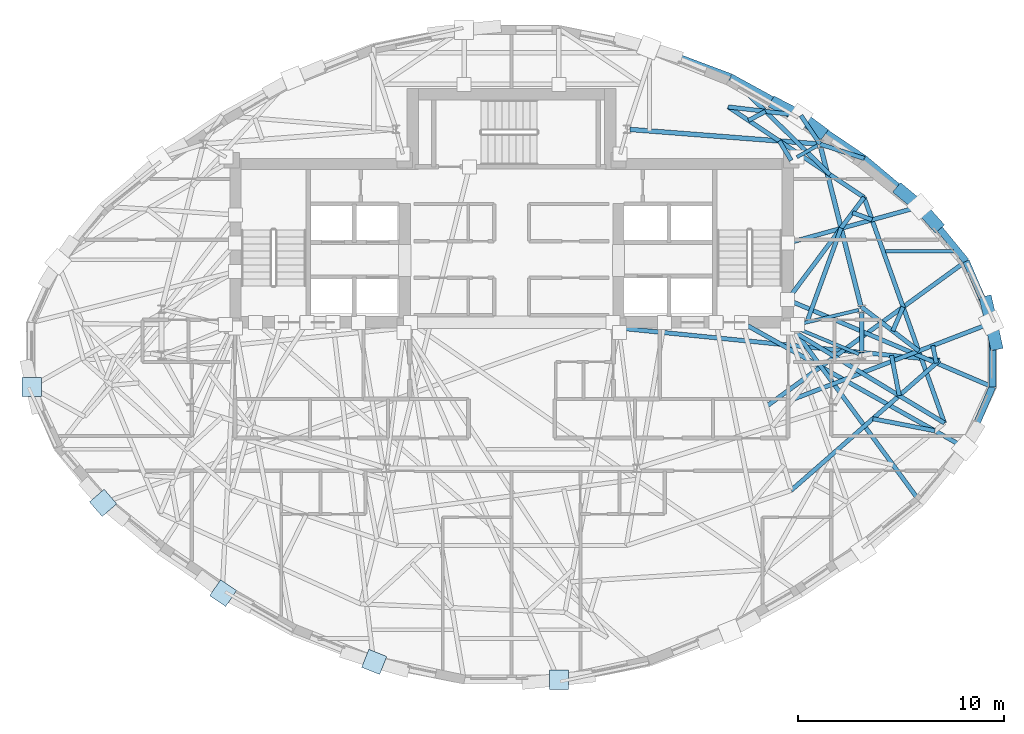
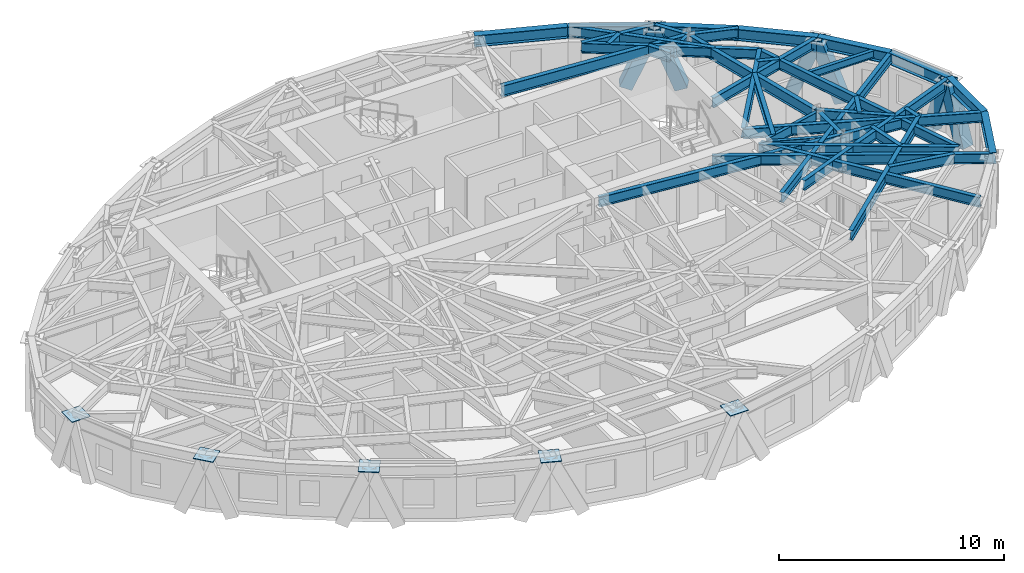
# One storey, part 4 of 14: 40 beams, 6 members, 5 plates.
"""IFC4 building model written with IfcOpenShell, lengths in metres."""

from ifc_helpers import new_model, si_unit, direction, frame, origin, origin_2d, place, context, subcontext, project, spatial, rectangle, hollow_rectangle, i_section, extrude, material, layer, layer_set, material_profile, profile_set, type_object, element, save


model = new_model("IFC4")

# Units and contexts
model_context = context("Model", 3, precision=1e-05, world=origin(), true_north=direction((0.0, 1.0)))
body_context = subcontext(model_context, "Body", "Model", "MODEL_VIEW")
ifc_project = project(units=[si_unit("LENGTHUNIT", "METRE"), si_unit("AREAUNIT", "SQUARE_METRE"), si_unit("VOLUMEUNIT", "CUBIC_METRE"), si_unit("PLANEANGLEUNIT", "RADIAN"), si_unit("MASSUNIT", "GRAM", prefix="KILO")], contexts=[model_context])

# Site, building, storey
site_placement = place(None, origin())
site = spatial("IfcSite", under=ifc_project, at=site_placement, CompositionType="ELEMENT")
building_placement = place(site_placement, origin())
building = spatial("IfcBuilding", under=site, at=building_placement, Name="Keldmark Tower", CompositionType="ELEMENT")
storey_placement = place(building_placement, frame((0.0, 0.0, 213.14990234375)))
storey = spatial("IfcBuildingStorey", under=building, at=storey_placement, Name="L59", CompositionType="ELEMENT", Elevation=213.14990234375)

# Beam
ifc_material_1 = material(Name="Steel ASTM A992 Grade 50", Category="steel")
ifc_material_profile_1 = material_profile(ifc_material_1, i_section(OverallWidth=0.177978515625, OverallDepth=0.403076171875, WebThickness=0.007568359375, FlangeThickness=0.010986328125, at=origin_2d()), Name="W16X36")
ifc_profile_set_1 = profile_set([ifc_material_profile_1], Name="Steel ASTM A992 Grade 50")
beam_type_1 = type_object("IfcBeamType", Name="Composite Floor Joist W16X36", PredefinedType="JOIST", material=ifc_profile_set_1)
beam_1_placement = place(storey_placement, frame((18.175537109375, 5.0400390625, 2.7685546875), z_axis=(1.0, 0.0, 0.0), x_axis=(0.0, 1.0, 0.0)))
element("IfcBeam", 1, at=beam_1_placement, inside=storey, type_object=beam_type_1, Name="L59 Composite Floor Joist J08", PredefinedType="JOIST", context=body_context, shape_type="SweptSolid", body=[
    extrude(i_section(OverallWidth=0.177978515625, OverallDepth=0.403076171875, WebThickness=0.007568359375, FlangeThickness=0.010986328125, at=origin_2d()), origin(), (0.0, 0.0, 1.0), 3.322265625),
])

# Members
ifc_material_2 = material(Name="Steel ASTM A572 Grade 50", Category="steel")
ifc_material_profile_2 = material_profile(ifc_material_2, hollow_rectangle(XDim=0.60009765625, YDim=0.60009765625, WallThickness=0.034912109375, at=origin_2d()), Name="BOX600X600X35")
ifc_profile_set_2 = profile_set([ifc_material_profile_2], Name="Steel ASTM A572 Grade 50")
member_type = type_object("IfcMemberType", Name="Diagrid Zone 4 Brace BOX600X600X35", PredefinedType="BRACE", material=ifc_profile_set_2)
member_1_placement = place(storey_placement, frame((23.090576171875, 2.5703125, -0.260009765625), z_axis=(0.071240844501, -0.309231419076, 0.948314647957), x_axis=(0.974474157233, 0.224499703532, 0.0)))
element("IfcMember", 2, at=member_1_placement, inside=storey, type_object=member_type, Name="L59 Perimeter Diagrid Brace 01A", PredefinedType="BRACE", context=body_context, shape_type="SweptSolid", body=[
    extrude(hollow_rectangle(XDim=0.60009765625, YDim=0.60009765625, WallThickness=0.034912109375, at=origin_2d()), origin(), (0.0, 0.0, 1.0), 3.279541015625),
])
member_2_placement = place(storey_placement, frame((20.645263671875, 6.325927734375, -0.260009765625), z_axis=(-0.236178134842, 0.263709002286, 0.935241920968), x_axis=(-0.744921219143, -0.667152439305, 0.0)))
element("IfcMember", 3, at=member_2_placement, inside=storey, type_object=member_type, Name="L59 Perimeter Diagrid Brace 01B", PredefinedType="BRACE", context=body_context, shape_type="SweptSolid", body=[
    extrude(hollow_rectangle(XDim=0.60009765625, YDim=0.60009765625, WallThickness=0.034912109375, at=origin_2d()), origin(), (0.0, 0.0, 1.0), 3.325439453125),
])
member_3_placement = place(storey_placement, frame((18.9375, 7.96240234375, -0.260009765625), z_axis=(0.277921853102, -0.230930589027, 0.932432574839), x_axis=(0.639087912898, 0.769133694222, 0.0)))
element("IfcMember", 4, at=member_3_placement, inside=storey, type_object=member_type, Name="L59 Perimeter Diagrid Brace 02A", PredefinedType="BRACE", context=body_context, shape_type="SweptSolid", body=[
    extrude(hollow_rectangle(XDim=0.60009765625, YDim=0.60009765625, WallThickness=0.034912109375, at=origin_2d()), origin(), (0.0, 0.0, 1.0), 3.33544921875),
])
member_4_placement = place(storey_placement, frame((15.006103515625, 10.8642578125, -0.260009765625), z_axis=(-0.293317377522, 0.217759288743, 0.930884422584), x_axis=(-0.596088275288, -0.802918905036, 0.0)))
element("IfcMember", 5, at=member_4_placement, inside=storey, type_object=member_type, Name="L59 Perimeter Diagrid Brace 02B", PredefinedType="BRACE", context=body_context, shape_type="SweptSolid", body=[
    extrude(hollow_rectangle(XDim=0.60009765625, YDim=0.60009765625, WallThickness=0.034912109375, at=origin_2d()), origin(), (0.0, 0.0, 1.0), 3.341064453125),
])
member_5_placement = place(storey_placement, frame((12.867919921875, 12.19140625, -0.260009765625), z_axis=(0.345442367388, -0.180023335035, 0.921010949803), x_axis=(0.462147317946, 0.886803166726, 0.0)))
element("IfcMember", 6, at=member_5_placement, inside=storey, type_object=member_type, Name="L59 Perimeter Diagrid Brace 03A", PredefinedType="BRACE", context=body_context, shape_type="SweptSolid", body=[
    extrude(hollow_rectangle(XDim=0.60009765625, YDim=0.60009765625, WallThickness=0.034912109375, at=origin_2d()), origin(), (0.0, 0.0, 1.0), 3.376953125),
])
member_6_placement = place(storey_placement, frame((23.54931640625, 0.531494140625, -0.260009765625), z_axis=(-0.068502919158, 0.315395761199, 0.946484476304), x_axis=(-0.97721582246, -0.212248053783, 0.0)))
element("IfcMember", 7, at=member_6_placement, inside=storey, type_object=member_type, Name="L59 Perimeter Diagrid Brace 16B", PredefinedType="BRACE", context=body_context, shape_type="SweptSolid", body=[
    extrude(hollow_rectangle(XDim=0.60009765625, YDim=0.60009765625, WallThickness=0.034912109375, at=origin_2d()), origin(), (0.0, 0.0, 1.0), 3.285888671875),
])

# Beams
ifc_material_3 = material(Name="Steel ASTM A992 Grade 50", Category="steel")
ifc_material_profile_3 = material_profile(ifc_material_3, i_section(OverallWidth=0.22802734375, OverallDepth=0.60302734375, WebThickness=0.010498046875, FlangeThickness=0.014892578125, at=origin_2d()), Name="W24X68")
ifc_profile_set_3 = profile_set([ifc_material_profile_3], Name="Steel ASTM A992 Grade 50")
beam_type_2 = type_object("IfcBeamType", Name="Primary Floor Girder W24X68", PredefinedType="BEAM", material=ifc_profile_set_3)
beam_2_placement = place(storey_placement, frame((16.9912109375, 2.34375, 2.668701171875), z_axis=(-0.244902129455, 0.969547805417, 0.0), x_axis=(-0.969547805417, -0.244902129455, 0.0)))
element("IfcBeam", 8, at=beam_2_placement, inside=storey, type_object=beam_type_2, Name="L59 Floor Ring Girder FG-R01", PredefinedType="BEAM", context=body_context, shape_type="SweptSolid", body=[
    extrude(i_section(OverallWidth=0.22802734375, OverallDepth=0.60302734375, WebThickness=0.010498046875, FlangeThickness=0.014892578125, at=origin_2d()), origin(), (0.0, 0.0, 1.0), 8.008056640625),
])
beam_3_placement = place(storey_placement, frame((14.856201171875, 10.25439453125, 2.668701171875), z_axis=(-0.997037147832, 0.076921556421, 0.0), x_axis=(-0.076921556421, -0.997037147832, 0.0)))
element("IfcBeam", 9, at=beam_3_placement, inside=storey, type_object=beam_type_2, Name="L59 Floor Ring Girder FG-R02", PredefinedType="BEAM", context=body_context, shape_type="SweptSolid", body=[
    extrude(i_section(OverallWidth=0.22802734375, OverallDepth=0.60302734375, WebThickness=0.010498046875, FlangeThickness=0.014892578125, at=origin_2d()), origin(), (0.0, 0.0, 1.0), 9.125),
])
beam_4_placement = place(storey_placement, frame((17.025634765625, 0.115966796875, 2.668701171875), z_axis=(0.0, 1.0, 0.0), x_axis=(-1.0, 0.0, 0.0)))
element("IfcBeam", 10, at=beam_4_placement, inside=storey, type_object=beam_type_2, Name="L59 Floor Ring Girder FG-R12", PredefinedType="BEAM", context=body_context, shape_type="SweptSolid", body=[
    extrude(i_section(OverallWidth=0.22802734375, OverallDepth=0.60302734375, WebThickness=0.010498046875, FlangeThickness=0.014892578125, at=origin_2d()), origin(), (0.0, 0.0, 1.0), 1.9521484375),
])
ifc_material_4 = material(Name="Steel ASTM A992 Grade 50", Category="steel")
ifc_material_profile_4 = material_profile(ifc_material_4, i_section(OverallWidth=0.166015625, OverallDepth=0.529052734375, WebThickness=0.009765625, FlangeThickness=0.013671875, at=origin_2d()), Name="W21X50")
ifc_profile_set_4 = profile_set([ifc_material_profile_4], Name="Steel ASTM A992 Grade 50")
beam_type_3 = type_object("IfcBeamType", Name="Radial Tie Girder W21X50", PredefinedType="BEAM", material=ifc_profile_set_4)
beam_5_placement = place(storey_placement, frame((16.889404296875, 2.17578125, 2.70556640625), z_axis=(-0.97329039005, -0.229577474147, 0.0), x_axis=(0.229577474147, -0.97329039005, 0.0)))
element("IfcBeam", 11, at=beam_5_placement, inside=storey, type_object=beam_type_3, Name="L59 Floor Radial Girder FG-C01", PredefinedType="BEAM", context=body_context, shape_type="SweptSolid", body=[
    extrude(i_section(OverallWidth=0.166015625, OverallDepth=0.529052734375, WebThickness=0.009765625, FlangeThickness=0.013671875, at=origin_2d()), origin(), (0.0, 0.0, 1.0), 3.0595703125),
])
beam_6_placement = place(storey_placement, frame((14.8740234375, 10.174560546875, 2.70556640625), z_axis=(-0.869238046195, -0.494393789451, 0.0), x_axis=(0.494393789451, -0.869238046195, 0.0)))
element("IfcBeam", 12, at=beam_6_placement, inside=storey, type_object=beam_type_3, Name="L59 Floor Radial Girder FG-C02", PredefinedType="BEAM", context=body_context, shape_type="SweptSolid", body=[
    extrude(i_section(OverallWidth=0.166015625, OverallDepth=0.529052734375, WebThickness=0.009765625, FlangeThickness=0.013671875, at=origin_2d()), origin(), (0.0, 0.0, 1.0), 1.145751953125),
])
beam_7_placement = place(storey_placement, frame((16.896240234375, 0.02978515625, 2.70556640625), z_axis=(-0.923403331902, 0.383831065226, 0.0), x_axis=(-0.383831065226, -0.923403331902, 0.0)))
element("IfcBeam", 13, at=beam_7_placement, inside=storey, type_object=beam_type_3, Name="L59 Floor Radial Girder FG-C12", PredefinedType="BEAM", context=body_context, shape_type="SweptSolid", body=[
    extrude(i_section(OverallWidth=0.166015625, OverallDepth=0.529052734375, WebThickness=0.009765625, FlangeThickness=0.013671875, at=origin_2d()), origin(), (0.0, 0.0, 1.0), 3.249755859375),
])
ifc_material_5 = material(Name="Steel ASTM A992 Grade 50", Category="steel")
ifc_material_profile_5 = material_profile(ifc_material_5, i_section(OverallWidth=0.2099609375, OverallDepth=0.537109375, WebThickness=0.010986328125, FlangeThickness=0.017333984375, at=origin_2d()), Name="W21X68")
ifc_profile_set_5 = profile_set([ifc_material_profile_5], Name="Steel ASTM A992 Grade 50")
beam_type_4 = type_object("IfcBeamType", Name="Radial Tie Girder W21X68", PredefinedType="BEAM", material=ifc_profile_set_5)
beam_8_placement = place(storey_placement, frame((5.199951171875, 1.300048828125, 2.70166015625), z_axis=(0.994997839302, -0.099896445306, 0.0), x_axis=(0.099896445306, 0.994997839302, 0.0)))
element("IfcBeam", 14, at=beam_8_placement, inside=storey, type_object=beam_type_4, Name="L59 Sub-Ring Step Girder STP1-M12", PredefinedType="BEAM", context=body_context, shape_type="SweptSolid", body=[
    extrude(i_section(OverallWidth=0.2099609375, OverallDepth=0.537109375, WebThickness=0.010986328125, FlangeThickness=0.017333984375, at=origin_2d()), origin(), (0.0, 0.0, 1.0), 15.695068359375),
])
beam_9_placement = place(storey_placement, frame((13.60205078125, -6.591796875, 2.70166015625), z_axis=(0.751986811444, 0.6591781515, 0.0), x_axis=(-0.6591781515, 0.751986811444, 0.0)))
element("IfcBeam", 15, at=beam_9_placement, inside=storey, type_object=beam_type_4, Name="L59 Perimeter Collector Ring Beam CRG1-M11", PredefinedType="BEAM", context=body_context, shape_type="SweptSolid", body=[
    extrude(i_section(OverallWidth=0.2099609375, OverallDepth=0.537109375, WebThickness=0.010986328125, FlangeThickness=0.017333984375, at=origin_2d()), origin(), (0.0, 0.0, 1.0), 9.59375),
])
beam_10_placement = place(storey_placement, frame((14.358154296875, 1.578857421875, 2.70166015625), z_axis=(0.342040422239, 0.939685239617, 0.0), x_axis=(-0.939685239617, 0.342040422239, 0.0)))
element("IfcBeam", 16, at=beam_10_placement, inside=storey, type_object=beam_type_4, Name="L59 Framing Pin Header PH-007", PredefinedType="BEAM", context=body_context, shape_type="SweptSolid", body=[
    extrude(i_section(OverallWidth=0.2099609375, OverallDepth=0.537109375, WebThickness=0.010986328125, FlangeThickness=0.017333984375, at=origin_2d()), origin(), (0.0, 0.0, 1.0), 4.8779296875),
])
beam_11_placement = place(storey_placement, frame((13.425048828125, 2.675048828125, 2.70166015625), z_axis=(0.597942812594, 0.801538765667, 0.0), x_axis=(-0.801538765667, 0.597942812594, 0.0)))
element("IfcBeam", 17, at=beam_11_placement, inside=storey, type_object=beam_type_4, Name="L59 Sub-Ring Step Girder STP2-M01", PredefinedType="BEAM", context=body_context, shape_type="SweptSolid", body=[
    extrude(i_section(OverallWidth=0.2099609375, OverallDepth=0.537109375, WebThickness=0.010986328125, FlangeThickness=0.017333984375, at=origin_2d()), origin(), (0.0, 0.0, 1.0), 6.215087890625),
])
beam_12_placement = place(storey_placement, frame((18.473876953125, -0.03271484375, 2.70166015625), z_axis=(0.190551497615, -0.981677200895, 0.0), x_axis=(0.981677200895, 0.190551497615, 0.0)))
element("IfcBeam", 18, at=beam_12_placement, inside=storey, type_object=beam_type_4, Name="L59 Framing Pin Header PH-012", PredefinedType="BEAM", context=body_context, shape_type="SweptSolid", body=[
    extrude(i_section(OverallWidth=0.2099609375, OverallDepth=0.537109375, WebThickness=0.010986328125, FlangeThickness=0.017333984375, at=origin_2d()), origin(), (0.0, 0.0, 1.0), 1.992431640625),
])
beam_13_placement = place(storey_placement, frame((13.425048828125, 1.300048828125, 2.70166015625), z_axis=(0.855298592547, -0.518135423985, 0.0), x_axis=(0.518135423985, 0.855298592547, 0.0)))
element("IfcBeam", 19, at=beam_13_placement, inside=storey, type_object=beam_type_4, Name="L59 Sub-Ring Step Girder STP2-M12", PredefinedType="BEAM", context=body_context, shape_type="SweptSolid", body=[
    extrude(i_section(OverallWidth=0.2099609375, OverallDepth=0.537109375, WebThickness=0.010986328125, FlangeThickness=0.017333984375, at=origin_2d()), origin(), (0.0, 0.0, 1.0), 8.915771484375),
])
beam_14_placement = place(storey_placement, frame((21.05078125, -3.319580078125, 2.70166015625), z_axis=(-0.335522607051, 0.942032154524, 0.0), x_axis=(-0.942032154524, -0.335522607051, 0.0)))
element("IfcBeam", 20, at=beam_14_placement, inside=storey, type_object=beam_type_4, Name="L59 Perimeter Collector Ring Beam CRG2-M12", PredefinedType="BEAM", context=body_context, shape_type="SweptSolid", body=[
    extrude(i_section(OverallWidth=0.2099609375, OverallDepth=0.537109375, WebThickness=0.010986328125, FlangeThickness=0.017333984375, at=origin_2d()), origin(), (0.0, 0.0, 1.0), 11.65185546875),
])
beam_15_placement = place(storey_placement, frame((16.9912109375, 2.34375, 2.70166015625), z_axis=(0.793138331979, -0.609041530887, 0.0), x_axis=(0.609041530887, 0.793138331979, 0.0)))
element("IfcBeam", 21, at=beam_15_placement, inside=storey, type_object=beam_type_4, Name="L59 Framing Pin Header PH-013", PredefinedType="BEAM", context=body_context, shape_type="SweptSolid", body=[
    extrude(i_section(OverallWidth=0.2099609375, OverallDepth=0.537109375, WebThickness=0.010986328125, FlangeThickness=0.017333984375, at=origin_2d()), origin(), (0.0, 0.0, 1.0), 3.544921875),
])
beam_16_placement = place(storey_placement, frame((13.7109375, -2.158203125, 2.70166015625), z_axis=(0.933352284575, 0.358961715059, 0.0), x_axis=(-0.358961715059, 0.933352284575, 0.0)))
element("IfcBeam", 22, at=beam_16_placement, inside=storey, type_object=beam_type_4, Name="L59 Perimeter Radial Tie Girder RT-01", PredefinedType="BEAM", context=body_context, shape_type="SweptSolid", body=[
    extrude(i_section(OverallWidth=0.2099609375, OverallDepth=0.537109375, WebThickness=0.010986328125, FlangeThickness=0.017333984375, at=origin_2d()), origin(), (0.0, 0.0, 1.0), 10.36376953125),
])
beam_17_placement = place(storey_placement, frame((18.53759765625, 1.15625, 2.70166015625), z_axis=(0.396701080327, 0.917947848664, 0.0), x_axis=(-0.917947848664, 0.396701080327, 0.0)))
element("IfcBeam", 23, at=beam_17_placement, inside=storey, type_object=beam_type_4, Name="L59 Framing Pin Header PH-014", PredefinedType="BEAM", context=body_context, shape_type="SweptSolid", body=[
    extrude(i_section(OverallWidth=0.2099609375, OverallDepth=0.537109375, WebThickness=0.010986328125, FlangeThickness=0.017333984375, at=origin_2d()), origin(), (0.0, 0.0, 1.0), 1.270263671875),
])
beam_18_placement = place(storey_placement, frame((12.3974609375, -2.50830078125, 2.70166015625), z_axis=(0.808819670747, 0.588056749143, 0.0), x_axis=(-0.588056749143, 0.808819670747, 0.0)))
element("IfcBeam", 24, at=beam_18_placement, inside=storey, type_object=beam_type_4, Name="L59 Perimeter Radial Tie Girder RT-02", PredefinedType="BEAM", context=body_context, shape_type="SweptSolid", body=[
    extrude(i_section(OverallWidth=0.2099609375, OverallDepth=0.537109375, WebThickness=0.010986328125, FlangeThickness=0.017333984375, at=origin_2d()), origin(), (0.0, 0.0, 1.0), 11.997802734375),
])
beam_19_placement = place(storey_placement, frame((16.583984375, 6.909423828125, 2.70166015625), z_axis=(0.93851635919, -0.345234765823, 0.0), x_axis=(0.345234765823, 0.93851635919, 0.0)))
element("IfcBeam", 25, at=beam_19_placement, inside=storey, type_object=beam_type_4, Name="L59 Framing Pin Header PH-015", PredefinedType="BEAM", context=body_context, shape_type="SweptSolid", body=[
    extrude(i_section(OverallWidth=0.2099609375, OverallDepth=0.537109375, WebThickness=0.010986328125, FlangeThickness=0.017333984375, at=origin_2d()), origin(), (0.0, 0.0, 1.0), 1.009765625),
])
beam_20_placement = place(storey_placement, frame((13.425048828125, 5.425048828125, 2.70166015625), z_axis=(0.963822611623, 0.266544505335, 0.0), x_axis=(-0.266544505335, 0.963822611623, 0.0)))
element("IfcBeam", 26, at=beam_20_placement, inside=storey, type_object=beam_type_4, Name="L59 Perimeter Radial Tie Girder RT-03", PredefinedType="BEAM", context=body_context, shape_type="SweptSolid", body=[
    extrude(i_section(OverallWidth=0.2099609375, OverallDepth=0.537109375, WebThickness=0.010986328125, FlangeThickness=0.017333984375, at=origin_2d()), origin(), (0.0, 0.0, 1.0), 6.73583984375),
])
beam_21_placement = place(storey_placement, frame((14.995849609375, 10.24365234375, 2.70166015625), z_axis=(0.951041205771, -0.30906411135, 0.0), x_axis=(0.30906411135, 0.951041205771, 0.0)))
element("IfcBeam", 27, at=beam_21_placement, inside=storey, type_object=beam_type_4, Name="L59 Perimeter Column Bracket RT-04", PredefinedType="BEAM", context=body_context, shape_type="SweptSolid", body=[
    extrude(i_section(OverallWidth=0.2099609375, OverallDepth=0.537109375, WebThickness=0.010986328125, FlangeThickness=0.017333984375, at=origin_2d()), origin(), (0.0, 0.0, 1.0), 2.262451171875),
])
beam_22_placement = place(storey_placement, frame((14.995849609375, 10.24365234375, 2.70166015625), z_axis=(-0.554361891087, 0.83227573178, 0.0), x_axis=(-0.83227573178, -0.554361891087, 0.0)))
element("IfcBeam", 28, at=beam_22_placement, inside=storey, type_object=beam_type_4, Name="L59 Perimeter Column Bracket RT-05", PredefinedType="BEAM", context=body_context, shape_type="SweptSolid", body=[
    extrude(i_section(OverallWidth=0.2099609375, OverallDepth=0.537109375, WebThickness=0.010986328125, FlangeThickness=0.017333984375, at=origin_2d()), origin(), (0.0, 0.0, 1.0), 1.66552734375),
])
beam_23_placement = place(storey_placement, frame((13.60009765625, 9.449951171875, 2.70166015625), z_axis=(-0.520254626591, 0.854011196361, 0.0), x_axis=(-0.854011196361, -0.520254626591, 0.0)))
element("IfcBeam", 29, at=beam_23_placement, inside=storey, type_object=beam_type_4, Name="L59 Framing Pin Header PH-016", PredefinedType="BEAM", context=body_context, shape_type="SweptSolid", body=[
    extrude(i_section(OverallWidth=0.2099609375, OverallDepth=0.537109375, WebThickness=0.010986328125, FlangeThickness=0.017333984375, at=origin_2d()), origin(), (0.0, 0.0, 1.0), 1.107421875),
])
beam_24_placement = place(storey_placement, frame((17.141357421875, 7.65673828125, 2.70166015625), z_axis=(-0.832594158073, 0.553883532832, 0.0), x_axis=(-0.553883532832, -0.832594158073, 0.0)))
element("IfcBeam", 30, at=beam_24_placement, inside=storey, type_object=beam_type_4, Name="L59 Intermediate Radial Step Girder RT-06M", PredefinedType="BEAM", context=body_context, shape_type="SweptSolid", body=[
    extrude(i_section(OverallWidth=0.2099609375, OverallDepth=0.537109375, WebThickness=0.010986328125, FlangeThickness=0.017333984375, at=origin_2d()), origin(), (0.0, 0.0, 1.0), 7.936279296875),
])
beam_25_placement = place(storey_placement, frame((14.072509765625, 11.6298828125, 2.70166015625), z_axis=(-0.992944746821, 0.118577948034, 0.0), x_axis=(-0.118577948034, -0.992944746821, 0.0)))
element("IfcBeam", 31, at=beam_25_placement, inside=storey, type_object=beam_type_4, Name="L59 Local Collector Chord RT-06C", PredefinedType="BEAM", context=body_context, shape_type="SweptSolid", body=[
    extrude(i_section(OverallWidth=0.2099609375, OverallDepth=0.537109375, WebThickness=0.010986328125, FlangeThickness=0.017333984375, at=origin_2d()), origin(), (0.0, 0.0, 1.0), 3.56396484375),
])
beam_26_placement = place(storey_placement, frame((11.52490234375, 11.39306640625, 2.70166015625), z_axis=(0.881514831066, 0.472156332808, 0.0), x_axis=(-0.472156332808, 0.881514831066, 0.0)))
element("IfcBeam", 32, at=beam_26_placement, inside=storey, type_object=beam_type_4, Name="L59 Framing Pin Header PH-017", PredefinedType="BEAM", context=body_context, shape_type="SweptSolid", body=[
    extrude(i_section(OverallWidth=0.2099609375, OverallDepth=0.537109375, WebThickness=0.010986328125, FlangeThickness=0.017333984375, at=origin_2d()), origin(), (0.0, 0.0, 1.0), 0.93701171875),
])
beam_27_placement = place(storey_placement, frame((15.489501953125, 8.755615234375, 2.70166015625), z_axis=(-0.713767018217, 0.700383212039, 0.0), x_axis=(-0.700383212039, -0.713767018217, 0.0)))
element("IfcBeam", 33, at=beam_27_placement, inside=storey, type_object=beam_type_4, Name="L59 Perimeter Radial Tie Girder RT-06", PredefinedType="BEAM", context=body_context, shape_type="SweptSolid", body=[
    extrude(i_section(OverallWidth=0.2099609375, OverallDepth=0.537109375, WebThickness=0.010986328125, FlangeThickness=0.017333984375, at=origin_2d()), origin(), (0.0, 0.0, 1.0), 6.785888671875),
])
beam_28_placement = place(storey_placement, frame((13.60009765625, 1.39990234375, 2.70166015625), z_axis=(0.591092273385, -0.806603945158, 0.0), x_axis=(0.806603945158, 0.591092273385, 0.0)))
element("IfcBeam", 34, at=beam_28_placement, inside=storey, type_object=beam_type_4, Name="L59 Perimeter Radial Tie Girder RT-30", PredefinedType="BEAM", context=body_context, shape_type="SweptSolid", body=[
    extrude(i_section(OverallWidth=0.2099609375, OverallDepth=0.537109375, WebThickness=0.010986328125, FlangeThickness=0.017333984375, at=origin_2d()), origin(), (0.0, 0.0, 1.0), 10.687255859375),
])
beam_29_placement = place(storey_placement, frame((17.570068359375, -3.113525390625, 2.70166015625), z_axis=(0.981771723971, -0.190063889286, 0.0), x_axis=(0.190063889286, 0.981771723971, 0.0)))
element("IfcBeam", 35, at=beam_29_placement, inside=storey, type_object=beam_type_4, Name="L59 Framing Pin Header PH-032", PredefinedType="BEAM", context=body_context, shape_type="SweptSolid", body=[
    extrude(i_section(OverallWidth=0.2099609375, OverallDepth=0.537109375, WebThickness=0.010986328125, FlangeThickness=0.017333984375, at=origin_2d()), origin(), (0.0, 0.0, 1.0), 3.073974609375),
])
beam_30_placement = place(storey_placement, frame((11.19287109375, 1.574951171875, 2.70166015625), z_axis=(0.872055686725, -0.489406660407, 0.0), x_axis=(0.489406660407, 0.872055686725, 0.0)))
element("IfcBeam", 36, at=beam_30_placement, inside=storey, type_object=beam_type_4, Name="L59 Perimeter Radial Tie Girder RT-31", PredefinedType="BEAM", context=body_context, shape_type="SweptSolid", body=[
    extrude(i_section(OverallWidth=0.2099609375, OverallDepth=0.537109375, WebThickness=0.010986328125, FlangeThickness=0.017333984375, at=origin_2d()), origin(), (0.0, 0.0, 1.0), 12.50927734375),
])
beam_31_placement = place(storey_placement, frame((20.482177734375, 0.44580078125, 2.70166015625), z_axis=(0.206378896311, -0.978472151447, 0.0), x_axis=(0.978472151447, 0.206378896311, 0.0)))
element("IfcBeam", 37, at=beam_31_placement, inside=storey, type_object=beam_type_4, Name="L59 Framing Pin Header PH-033", PredefinedType="BEAM", context=body_context, shape_type="SweptSolid", body=[
    extrude(i_section(OverallWidth=0.2099609375, OverallDepth=0.537109375, WebThickness=0.010986328125, FlangeThickness=0.017333984375, at=origin_2d()), origin(), (0.0, 0.0, 1.0), 0.868408203125),
])
beam_32_placement = place(storey_placement, frame((13.425048828125, 2.675048828125, 2.70166015625), z_axis=(0.920181436638, -0.391492175742, 0.0), x_axis=(0.391492175742, 0.920181436638, 0.0)))
element("IfcBeam", 38, at=beam_32_placement, inside=storey, type_object=beam_type_4, Name="L59 Perimeter Radial Tie Girder RT-32", PredefinedType="BEAM", context=body_context, shape_type="SweptSolid", body=[
    extrude(i_section(OverallWidth=0.2099609375, OverallDepth=0.537109375, WebThickness=0.010986328125, FlangeThickness=0.017333984375, at=origin_2d()), origin(), (0.0, 0.0, 1.0), 10.82275390625),
])
ifc_material_6 = material(Name="Steel ASTM A992 Grade 50", Category="steel")
ifc_material_profile_6 = material_profile(ifc_material_6, i_section(OverallWidth=0.326904296875, OverallDepth=0.6220703125, WebThickness=0.015380859375, FlangeThickness=0.0244140625, at=origin_2d()), Name="W24X131")
ifc_profile_set_6 = profile_set([ifc_material_profile_6], Name="Steel ASTM A992 Grade 50")
beam_type_5 = type_object("IfcBeamType", Name="Spandrel Ring Beam W24X131", PredefinedType="SPANDREL", material=ifc_profile_set_6)
beam_33_placement = place(storey_placement, frame((23.384033203125, 1.56201171875, 2.6591796875), z_axis=(-0.394735370712, 0.918794855835, 0.0), x_axis=(-0.918794855835, -0.394735370712, 0.0)))
element("IfcBeam", 39, at=beam_33_placement, inside=storey, type_object=beam_type_5, Name="L59 Perimeter Spandrel Ring Beam SRB-01", PredefinedType="SPANDREL", context=body_context, shape_type="SweptSolid", body=[
    extrude(i_section(OverallWidth=0.326904296875, OverallDepth=0.6220703125, WebThickness=0.015380859375, FlangeThickness=0.0244140625, at=origin_2d()), origin(), (0.0, 0.0, 1.0), 3.2490234375),
])
beam_34_placement = place(storey_placement, frame((22.1015625, 4.547119140625, 2.6591796875), z_axis=(-0.632725461905, 0.774376194015, 0.0), x_axis=(-0.774376194015, -0.632725461905, 0.0)))
element("IfcBeam", 40, at=beam_34_placement, inside=storey, type_object=beam_type_5, Name="L59 Perimeter Spandrel Ring Beam SRB-02", PredefinedType="SPANDREL", context=body_context, shape_type="SweptSolid", body=[
    extrude(i_section(OverallWidth=0.326904296875, OverallDepth=0.6220703125, WebThickness=0.015380859375, FlangeThickness=0.0244140625, at=origin_2d()), origin(), (0.0, 0.0, 1.0), 3.4521484375),
])
beam_35_placement = place(storey_placement, frame((19.917236328125, 7.220458984375, 2.6591796875), z_axis=(-0.766063904081, 0.642764416302, 0.0), x_axis=(-0.642764416302, -0.766063904081, 0.0)))
element("IfcBeam", 41, at=beam_35_placement, inside=storey, type_object=beam_type_5, Name="L59 Perimeter Spandrel Ring Beam SRB-03", PredefinedType="SPANDREL", context=body_context, shape_type="SweptSolid", body=[
    extrude(i_section(OverallWidth=0.326904296875, OverallDepth=0.6220703125, WebThickness=0.015380859375, FlangeThickness=0.0244140625, at=origin_2d()), origin(), (0.0, 0.0, 1.0), 3.615478515625),
])
beam_36_placement = place(storey_placement, frame((17.1474609375, 9.54443359375, 2.6591796875), z_axis=(-0.827616407823, 0.56129411319, 0.0), x_axis=(-0.56129411319, -0.827616407823, 0.0)))
element("IfcBeam", 42, at=beam_36_placement, inside=storey, type_object=beam_type_5, Name="L59 Perimeter Spandrel Ring Beam SRB-04", PredefinedType="SPANDREL", context=body_context, shape_type="SweptSolid", body=[
    extrude(i_section(OverallWidth=0.326904296875, OverallDepth=0.6220703125, WebThickness=0.015380859375, FlangeThickness=0.0244140625, at=origin_2d()), origin(), (0.0, 0.0, 1.0), 3.71533203125),
])
beam_37_placement = place(storey_placement, frame((14.072509765625, 11.6298828125, 2.6591796875), z_axis=(-0.87688122565, 0.480707100117, 0.0), x_axis=(-0.480707100117, -0.87688122565, 0.0)))
element("IfcBeam", 43, at=beam_37_placement, inside=storey, type_object=beam_type_5, Name="L59 Perimeter Spandrel Ring Beam SRB-05", PredefinedType="SPANDREL", context=body_context, shape_type="SweptSolid", body=[
    extrude(i_section(OverallWidth=0.326904296875, OverallDepth=0.6220703125, WebThickness=0.015380859375, FlangeThickness=0.0244140625, at=origin_2d()), origin(), (0.0, 0.0, 1.0), 3.90771484375),
])
beam_38_placement = place(storey_placement, frame((10.64599609375, 13.50830078125, 2.6591796875), z_axis=(-0.936050112936, 0.351866716346, 0.0), x_axis=(-0.351866716346, -0.936050112936, 0.0)))
element("IfcBeam", 44, at=beam_38_placement, inside=storey, type_object=beam_type_5, Name="L59 Perimeter Spandrel Ring Beam SRB-06", PredefinedType="SPANDREL", context=body_context, shape_type="SweptSolid", body=[
    extrude(i_section(OverallWidth=0.326904296875, OverallDepth=0.6220703125, WebThickness=0.015380859375, FlangeThickness=0.0244140625, at=origin_2d()), origin(), (0.0, 0.0, 1.0), 4.2109375),
])
beam_39_placement = place(storey_placement, frame((22.1015625, -4.547119140625, 2.6591796875), z_axis=(0.394735370712, 0.918794855835, 0.0), x_axis=(-0.918794855835, 0.394735370712, 0.0)))
element("IfcBeam", 45, at=beam_39_placement, inside=storey, type_object=beam_type_5, Name="L59 Perimeter Spandrel Ring Beam SRB-31", PredefinedType="SPANDREL", context=body_context, shape_type="SweptSolid", body=[
    extrude(i_section(OverallWidth=0.326904296875, OverallDepth=0.6220703125, WebThickness=0.015380859375, FlangeThickness=0.0244140625, at=origin_2d()), origin(), (0.0, 0.0, 1.0), 3.2490234375),
])
beam_40_placement = place(storey_placement, frame((23.384033203125, -1.56201171875, 2.6591796875), z_axis=(0.0, 1.0, 0.0), x_axis=(-1.0, 0.0, 0.0)))
element("IfcBeam", 46, at=beam_40_placement, inside=storey, type_object=beam_type_5, Name="L59 Perimeter Spandrel Ring Beam SRB-32", PredefinedType="SPANDREL", context=body_context, shape_type="SweptSolid", body=[
    extrude(i_section(OverallWidth=0.326904296875, OverallDepth=0.6220703125, WebThickness=0.015380859375, FlangeThickness=0.0244140625, at=origin_2d()), origin(), (0.0, 0.0, 1.0), 3.1240234375),
])

# Plates
ifc_material_7 = material(Name="Steel ASTM A572 Grade 50", Category="steel")
ifc_layer = layer(ifc_material_7, 0.0400390625)
ifc_layer_set = layer_set([ifc_layer], Name="Steel ASTM A572 Grade 50")
plate_type = type_object("IfcPlateType", Name="Diagrid Node Assembly DN05 40 mm", PredefinedType="USERDEFINED", material=ifc_layer_set)
for number, where, z_axis, x_axis, name in (
    (47, (-23.32421875, -1.56787109375, 2.830078125), (0.0, 0.0, 1.0), (0.0, -1.0, 0.0), "L59 Diagrid Node Assembly 16"),
    (48, (-19.85986328125, -7.202880859375, 2.830078125), (0.0, 0.0, 1.0), (0.654080957909, -0.756424550435, 0.0), "L59 Diagrid Node Assembly 18"),
    (49, (-14.026123046875, -11.591796875, 2.830078125), (0.0, 0.0, 1.0), (0.827570769564, -0.561361399958, 0.0), "L59 Diagrid Node Assembly 20"),
    (50, (-6.676025390625, -14.93701171875, 2.830078125), (0.0, 0.0, 1.0), (0.929197090365, -0.369584587417, 0.0), "L59 Diagrid Node Assembly 22"),
    (51, (2.30908203125, -15.800048828125, 2.830078125), (0.0, 0.0, 1.0), (1.0, 0.0, 0.0), "L59 Diagrid Node Assembly 24"),
):
    element("IfcPlate", number, at=place(storey_placement, frame(where, z_axis=z_axis, x_axis=x_axis)), inside=storey, type_object=plate_type, Name=name, ObjectType="GUSSET", PredefinedType="USERDEFINED", context=body_context, shape_type="SweptSolid", body=[
        extrude(rectangle(XDim=0.93994140625, YDim=0.93994140625, at=origin_2d()), origin(), (0.0, 0.0, 1.0), 0.0400390625),
    ])

save(model, "model.ifc")
